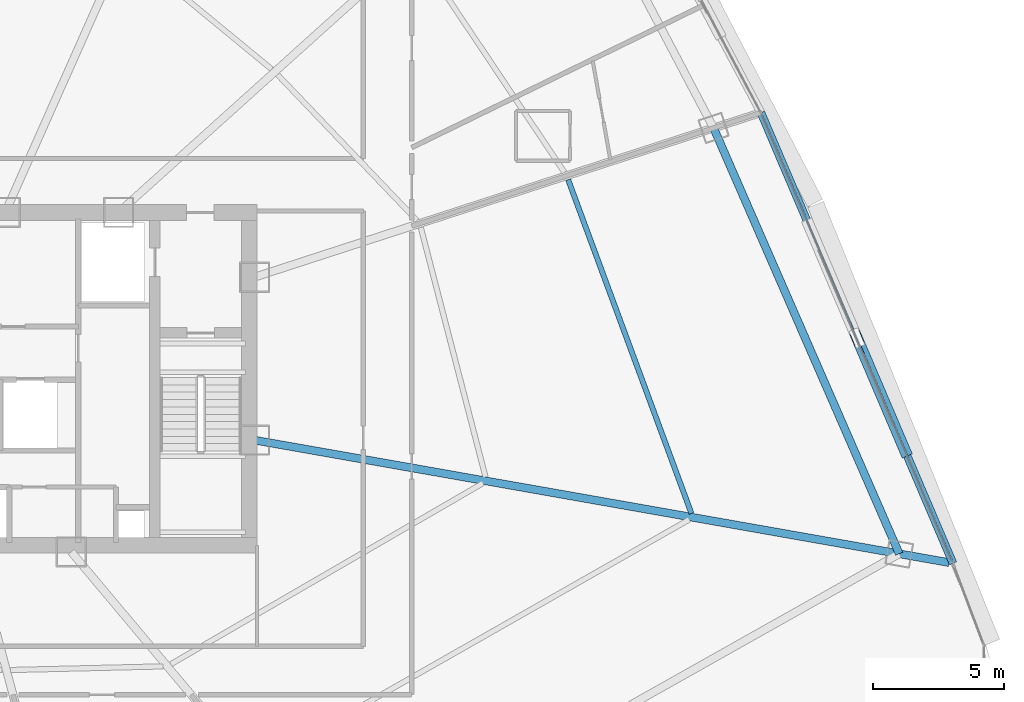
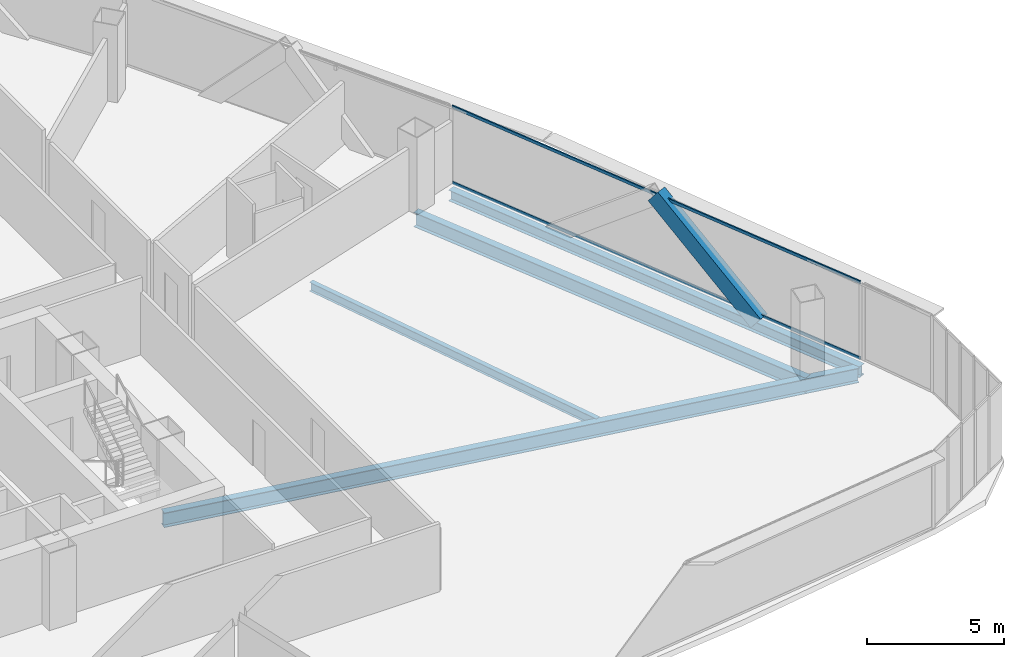
# One storey, part 25 of 42: 4 beams, 3 members, 1 element without a shape of its own.
"""IFC4 building model written with IfcOpenShell, lengths in metres."""

from ifc_helpers import new_model, si_unit, direction, frame, origin, origin_2d, place, context, subcontext, project, spatial, hollow_rectangle, i_section, extrude, source, transform, mapped, material, layer, layer_set, material_profile, profile_set, type_object, element, aggregate, save


model = new_model("IFC4")

# Units and contexts
model_context = context("Model", 3, precision=1e-05, world=origin(), true_north=direction((0.0, 1.0)))
body_context = subcontext(model_context, "Body", "Model", "MODEL_VIEW")
ifc_project = project(units=[si_unit("LENGTHUNIT", "METRE"), si_unit("AREAUNIT", "SQUARE_METRE"), si_unit("VOLUMEUNIT", "CUBIC_METRE"), si_unit("PLANEANGLEUNIT", "RADIAN"), si_unit("MASSUNIT", "GRAM", prefix="KILO"), si_unit("THERMODYNAMICTEMPERATUREUNIT", "KELVIN"), si_unit("POWERUNIT", "WATT")], contexts=[model_context])

# Site, building, storey
site_placement = place(None, origin())
site = spatial("IfcSite", under=ifc_project, at=site_placement, CompositionType="ELEMENT")
building_placement = place(site_placement, origin())
building = spatial("IfcBuilding", under=site, at=building_placement, Name="Yunzhuo Pagoda Commons", CompositionType="ELEMENT")
storey_placement = place(building_placement, frame((0.0, 0.0, 133.510009765625)))
storey = spatial("IfcBuildingStorey", under=building, at=storey_placement, Name="L33", CompositionType="ELEMENT", Elevation=133.510009765625)

# Beams
ifc_material_1 = material(Name="Structural steel Q355B", Category="steel")
ifc_material_profile_1 = material_profile(ifc_material_1, i_section(OverallWidth=0.300048828125, OverallDepth=0.488037109375, WebThickness=0.010986328125, FlangeThickness=0.01806640625, at=origin_2d()), Name="Structural steel Q355B")
ifc_profile_set_1 = profile_set([ifc_material_profile_1], Name="Structural steel Q355B")
beam_type_1 = type_object("IfcBeamType", Name="B-SP1 Beam HM 488x300x11x18", PredefinedType="BEAM", material=ifc_profile_set_1)
shared_shape_1 = source(origin(), body_context, "Body", "SweptSolid", [
    extrude(i_section(OverallWidth=0.300048828125, OverallDepth=0.488037109375, WebThickness=0.010986328125, FlangeThickness=0.01806640625, at=origin_2d()), origin(), (0.0, 0.0, 1.0), 18.688232421875),
])
beam_1_placement = place(storey_placement, frame((87.0478515625, 26.814697265625, -0.503662109375), z_axis=(-0.392084847938, 0.919929058144, 0.0), x_axis=(-0.919929058144, -0.392084847938, 0.0)))
element("IfcBeam", 1, at=beam_1_placement, inside=storey, type_object=beam_type_1, Name="L33 facade edge spandrel beam F2.1", PredefinedType="BEAM", context=body_context, shape_type="MappedRepresentation", body=[
    mapped(shared_shape_1, transform((0.0, 0.0, 0.0), scale=1.0)),
])
ifc_material_profile_2 = material_profile(ifc_material_1, i_section(OverallWidth=0.300048828125, OverallDepth=0.64990234375, WebThickness=0.012939453125, FlangeThickness=0.02197265625, at=origin_2d()), Name="Structural steel Q355B")
ifc_profile_set_2 = profile_set([ifc_material_profile_2], Name="Structural steel Q355B")
beam_type_2 = type_object("IfcBeamType", Name="B-RG2 Beam HN 650x300x13x22", PredefinedType="BEAM", material=ifc_profile_set_2)
shared_shape_2 = source(origin(), body_context, "Body", "SweptSolid", [
    extrude(i_section(OverallWidth=0.300048828125, OverallDepth=0.64990234375, WebThickness=0.012939453125, FlangeThickness=0.02197265625, at=origin_2d()), origin(), (0.0, 0.0, 1.0), 26.904052734375),
])
beam_2_placement = place(storey_placement, frame((86.895263671875, 26.841796875, -0.5849609375), z_axis=(-0.984809127253, 0.173640383782, 0.0), x_axis=(-0.173640383782, -0.984809127253, 0.0)))
element("IfcBeam", 2, at=beam_2_placement, inside=storey, type_object=beam_type_2, Name="L33 radial floor girder F2C1", PredefinedType="BEAM", context=body_context, shape_type="MappedRepresentation", body=[
    mapped(shared_shape_2, transform((0.0, 0.0, 0.0), scale=1.0)),
])
shared_shape_3 = source(origin(), body_context, "Body", "SweptSolid", [
    extrude(i_section(OverallWidth=0.300048828125, OverallDepth=0.64990234375, WebThickness=0.012939453125, FlangeThickness=0.02197265625, at=origin_2d()), origin(), (0.0, 0.0, 1.0), 17.72021484375),
])
beam_3_placement = place(storey_placement, frame((84.9970703125, 27.176513671875, -0.5849609375), z_axis=(-0.399643307961, 0.916670729544, 0.0), x_axis=(-0.916670729544, -0.399643307961, 0.0)))
element("IfcBeam", 3, at=beam_3_placement, inside=storey, type_object=beam_type_2, Name="L33 column-ring beam 5", PredefinedType="BEAM", context=body_context, shape_type="MappedRepresentation", body=[
    mapped(shared_shape_3, transform((0.0, 0.0, 0.0), scale=1.0)),
])
ifc_material_profile_3 = material_profile(ifc_material_1, i_section(OverallWidth=0.199951171875, OverallDepth=0.39990234375, WebThickness=0.008056640625, FlangeThickness=0.012939453125, at=origin_2d()), Name="Structural steel Q355B")
ifc_profile_set_3 = profile_set([ifc_material_profile_3], Name="Structural steel Q355B")
beam_type_3 = type_object("IfcBeamType", Name="B-JS1 Joist HN 400x200x8x13", PredefinedType="JOIST", material=ifc_profile_set_3)
shared_shape_4 = source(origin(), body_context, "Body", "SweptSolid", [
    extrude(i_section(OverallWidth=0.199951171875, OverallDepth=0.39990234375, WebThickness=0.008056640625, FlangeThickness=0.012939453125, at=origin_2d()), origin(), (0.0, 0.0, 1.0), 13.57763671875),
])
beam_4_placement = place(storey_placement, frame((77.07080078125, 28.71337890625, -0.4599609375), z_axis=(-0.346531829181, 0.938038214235, 0.0), x_axis=(-0.938038214235, -0.346531829181, 0.0)))
element("IfcBeam", 4, at=beam_4_placement, inside=storey, type_object=beam_type_3, Name="L33 composite ring joist 2.5", PredefinedType="JOIST", context=body_context, shape_type="MappedRepresentation", body=[
    mapped(shared_shape_4, transform((0.0, 0.0, 0.0), scale=1.0)),
])

# Member
ifc_material_2 = material(Name="Structural steel Q420B", Category="steel")
ifc_material_profile_4 = material_profile(ifc_material_2, hollow_rectangle(XDim=0.419921875, YDim=0.719970703125, WallThickness=0.028076171875, at=origin_2d()), Name="Structural steel Q420B")
ifc_profile_set_4 = profile_set([ifc_material_profile_4], Name="Structural steel Q420B")
member_type_1 = type_object("IfcMemberType", Name="M-DL1 Brace BOX 720x420x28", PredefinedType="BRACE", material=ifc_profile_set_4)
shared_shape_5 = source(origin(), body_context, "Body", "SweptSolid", [
    extrude(hollow_rectangle(XDim=0.419921875, YDim=0.719970703125, WallThickness=0.028076171875, at=origin_2d()), origin(), (0.0, 0.0, 1.0), 5.947509765625),
])
member_1_placement = place(storey_placement, frame((85.21630859375, 31.11279296875, -0.260009765625), z_axis=(-0.30803773125, 0.722681804193, 0.618743699778), x_axis=(-0.919918938864, -0.392108589448, 0.0)))
element("IfcMember", 5, at=member_1_placement, inside=storey, type_object=member_type_1, Name="L33 facade diamond brace F2.1L", PredefinedType="BRACE", context=body_context, shape_type="MappedRepresentation", body=[
    mapped(shared_shape_5, transform((0.0, 0.0, 0.0), scale=1.0)),
])

# Curtain wall, members
ifc_material_3 = material(Name="Anodized aluminium 6063-T6", Category="aluminium")
ifc_layer = layer(ifc_material_3, 0.14990234375)
ifc_layer_set = layer_set([ifc_layer], Name="Anodized aluminium 6063-T6")
curtain_wall_type = type_object("IfcCurtainWallType", Name="CW-MID Mid-Zone Ribbon Curtain Wall", PredefinedType="NOTDEFINED", material=ifc_layer_set)
curtain_wall_placement = place(storey_placement, origin())
curtain_wall = element("IfcCurtainWall", 6, at=curtain_wall_placement, inside=storey, type_object=curtain_wall_type, Name="L33 curtain wall CW-L33-F2B2", PredefinedType="NOTDEFINED")
ifc_material_profile_5 = material_profile(ifc_material_3, hollow_rectangle(XDim=0.054931640625, YDim=0.1298828125, WallThickness=0.00341796875, at=origin_2d()), Name="Anodized aluminium 6063-T6")
ifc_profile_set_5 = profile_set([ifc_material_profile_5], Name="Anodized aluminium 6063-T6")
member_type_2 = type_object("IfcMemberType", Name="CW-MID-T Transom RHS 130x55x3.5", PredefinedType="USERDEFINED", material=ifc_profile_set_5)
shared_shape_6 = source(origin(), body_context, "Body", "SweptSolid", [
    extrude(hollow_rectangle(XDim=0.054931640625, YDim=0.1298828125, WallThickness=0.00341796875, at=origin_2d()), origin(), (0.0, 0.0, 1.0), 18.568115234375),
])
member_2_placement = place(storey_placement, frame((87.0244140625, 26.8701171875, 0.027587890625), z_axis=(-0.392085671986, 0.919928706924, 0.0), x_axis=(-0.919928706924, -0.392085671986, 0.0)))
member_2 = element("IfcMember", 7, at=member_2_placement, type_object=member_type_2, Name="CW transom 1.1", ObjectType="TRANSOM", PredefinedType="USERDEFINED", context=body_context, shape_type="MappedRepresentation", body=[
    mapped(shared_shape_6, transform((0.0, 0.0, 0.0), scale=1.0)),
])
member_3_placement = place(storey_placement, frame((87.0244140625, 26.8701171875, 3.392578125), z_axis=(-0.392085671986, 0.919928706924, 0.0), x_axis=(-0.919928706924, -0.392085671986, 0.0)))
member_3 = element("IfcMember", 8, at=member_3_placement, type_object=member_type_2, Name="CW transom 1.2", ObjectType="TRANSOM", PredefinedType="USERDEFINED", context=body_context, shape_type="MappedRepresentation", body=[
    mapped(shared_shape_6, transform((0.0, 0.0, 0.0), scale=1.0)),
])
aggregate(curtain_wall, [member_2, member_3])

save(model, "model.ifc")
